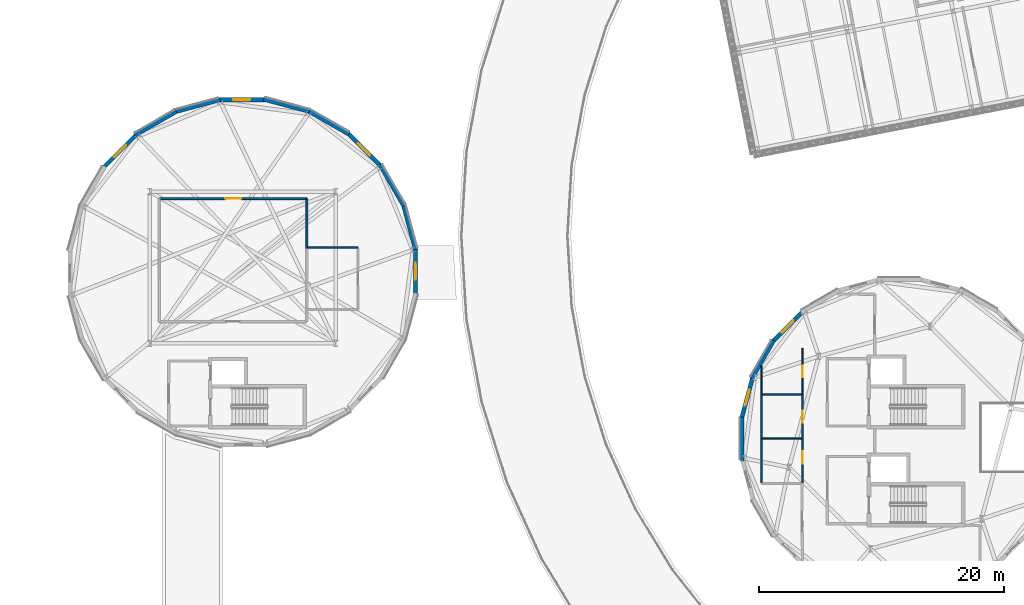
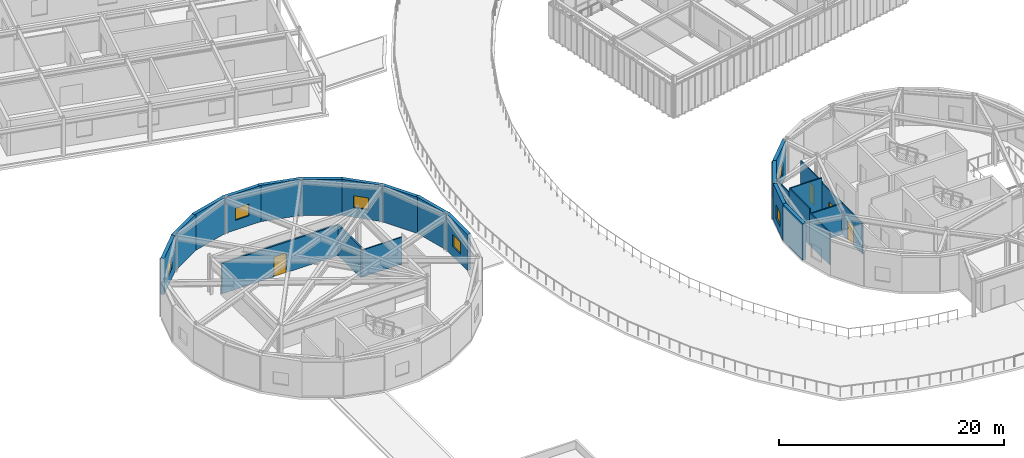
# One storey, part 32 of 59: 25 walls, 6 windows, 4 doors, 10 openings.
"""IFC4 building model written with IfcOpenShell, lengths in metres."""

import ifcopenshell
import ifcopenshell.guid

model = None  # the IFC model being written
_history = None  # IfcOwnerHistory: only IFC2X3 demands one
_inside = {}  # id of a spatial element -> (the spatial element, [elements in it])
_under = {}  # id of a project, library or spatial element -> (it, [spatial elements below it])
_declared = {}  # id of a project -> (the project, [libraries it declares])
_typed = {}  # id of a type object -> (the type object, [elements of that type])
_made_of = {}  # id of a material, layer set ... -> (it, [elements and type objects made of it])


def new_model(schema):
    """Start an empty IFC model of exactly this schema.

    Asked for "IFC4X3", IfcOpenShell would pick the latest addendum, in which some entities
    have other attributes; the version numbers below select the first issue.
    IFC2X3 requires an IfcOwnerHistory on every rooted entity: one is made here for all.
    """
    global model, _history
    if schema == "IFC4X3":
        model = ifcopenshell.file(schema_version=(4, 3, 0, 0))
    else:
        model = ifcopenshell.file(schema=schema)
    _inside.clear()
    _under.clear()
    _declared.clear()
    _typed.clear()
    _made_of.clear()
    _history = None
    if model.schema == "IFC2X3":
        org = make("IfcOrganization", Name="unknown")
        user = make(
            "IfcPersonAndOrganization",
            ThePerson=make("IfcPerson", FamilyName="unknown"),
            TheOrganization=org,
        )
        app = make(
            "IfcApplication",
            ApplicationDeveloper=org,
            Version="unknown",
            ApplicationFullName="unknown",
            ApplicationIdentifier="unknown",
        )
        _history = make(
            "IfcOwnerHistory",
            OwningUser=user,
            OwningApplication=app,
            ChangeAction="ADDED",
            CreationDate=0,
        )
    return model


def make(cls, **values):
    """One entity of the class cls with the attributes given. An attribute that is None is left unset."""
    return model.create_entity(
        cls, **{name: value for name, value in values.items() if value is not None}
    )


def rooted(cls, **values):
    """An entity with a GlobalId (a new one), such as an element, a storey or a relation."""
    return make(cls, GlobalId=ifcopenshell.guid.new(), OwnerHistory=_history, **values)


def si_unit(unit_type, name, prefix=None):
    """IfcSIUnit, for example si_unit("LENGTHUNIT", "METRE", prefix="MILLI")."""
    return make("IfcSIUnit", UnitType=unit_type, Prefix=prefix, Name=name)


def assignment(units):
    """IfcUnitAssignment: the units of a project."""
    return None if units is None else make("IfcUnitAssignment", Units=units)


def point(xyz):
    """IfcCartesianPoint."""
    return None if xyz is None else make("IfcCartesianPoint", Coordinates=xyz)


def direction(xyz):
    """IfcDirection."""
    return None if xyz is None else make("IfcDirection", DirectionRatios=xyz)


def frame(location, z_axis=None, x_axis=None):
    """IfcAxis2Placement3D, a coordinate frame: its origin and axes. An axis left out is left unset."""
    return make(
        "IfcAxis2Placement3D",
        Location=point(location),
        Axis=direction(z_axis),
        RefDirection=direction(x_axis),
    )


def frame_2d(location, x_axis=None):
    """IfcAxis2Placement2D, a coordinate frame in the plane: its origin and x axis."""
    return make(
        "IfcAxis2Placement2D", Location=point(location), RefDirection=direction(x_axis)
    )


def origin():
    """The frame at (0, 0, 0) with its axes left unset."""
    return frame((0.0, 0.0, 0.0))


def place(relative_to, where):
    """IfcLocalPlacement: puts the frame where relative to a parent placement (None: the world)."""
    return make(
        "IfcLocalPlacement", PlacementRelTo=relative_to, RelativePlacement=where
    )


def context(
    kind, dimensions, precision=None, world=None, true_north=None, identifier=None
):
    """IfcGeometricRepresentationContext, for example the 3D "Model" context."""
    return make(
        "IfcGeometricRepresentationContext",
        ContextIdentifier=identifier,
        ContextType=kind,
        CoordinateSpaceDimension=dimensions,
        Precision=precision,
        WorldCoordinateSystem=world,
        TrueNorth=true_north,
    )


def subcontext(parent, identifier, kind, view, scale=None):
    """IfcGeometricRepresentationSubContext, for example "Body" below "Model"."""
    return make(
        "IfcGeometricRepresentationSubContext",
        ContextIdentifier=identifier,
        ContextType=kind,
        ParentContext=parent,
        TargetScale=scale,
        TargetView=view,
    )


def project(units=None, contexts=None):
    """IfcProject with its units and contexts."""
    return rooted(
        "IfcProject",
        Name="project",
        RepresentationContexts=contexts,
        UnitsInContext=assignment(units),
    )


def spatial(cls, under=None, at=None, **own):
    """A site, building, storey or space (cls), placed at a placement, below another one or the project."""
    s = rooted(cls, ObjectPlacement=at, **own)
    if under is not None:
        _under.setdefault(under.id(), (under, []))[1].append(s)
    return s


def profile(cls, at=None, kind="AREA", **sizes):
    """A parametric profile (cls). Its sizes go by their IFC names, for example OverallWidth=200.0."""
    return make(cls, ProfileType=kind, Position=at, **sizes)


def rectangle(**sizes):
    """IfcRectangleProfileDef."""
    return profile("IfcRectangleProfileDef", **sizes)


def extrude(swept, where, along, depth):
    """IfcExtrudedAreaSolid: the profile swept, set in the frame where, extruded along a direction by depth."""
    return make(
        "IfcExtrudedAreaSolid",
        SweptArea=swept,
        Position=where,
        ExtrudedDirection=direction(along),
        Depth=depth,
    )


def shape(context_of_items, identifier, shape_type, items):
    """IfcShapeRepresentation: the items that make up one representation, for example the "Body"."""
    return make(
        "IfcShapeRepresentation",
        ContextOfItems=context_of_items,
        RepresentationIdentifier=identifier,
        RepresentationType=shape_type,
        Items=items,
    )


def material(Name=None, Category=None):
    """IfcMaterial."""
    return make("IfcMaterial", Name=Name, Category=Category)


def layer(
    of_material, thickness, ventilated=None, Name=None, Category=None, Priority=None
):
    """IfcMaterialLayer: one layer of a wall or slab, of a material (None: an air gap)."""
    return make(
        "IfcMaterialLayer",
        Material=of_material,
        LayerThickness=thickness,
        IsVentilated=ventilated,
        Name=Name,
        Category=Category,
        Priority=Priority,
    )


def layer_set(layers, Name=None):
    """IfcMaterialLayerSet."""
    return make("IfcMaterialLayerSet", MaterialLayers=layers, LayerSetName=Name)


def made_of(thing, what):
    """Note that an element or type object is made of a material, layer set ...; save() writes the relation."""
    if what is not None:
        _made_of.setdefault(what.id(), (what, []))[1].append(thing)
    return thing


def type_object(cls, material=None, **own):
    """A type object (cls), such as IfcWallType, which elements share."""
    return made_of(rooted(cls, **own), material)


def element(
    cls,
    number,
    at=None,
    inside=None,
    cuts=None,
    type_object=None,
    material=None,
    context=None,
    identifier="Body",
    shape_type=None,
    held_by="IfcProductDefinitionShape",
    body=None,
    shapes=None,
    **own,
):
    """One element of the class cls, such as IfcWall. Its Tag is "e" and its number.

    at: its placement. inside: the storey or other place that contains it. cuts: it is an
    opening in that element (IfcRelVoidsElement). A single representation is given by context,
    identifier, shape_type and body (its items); several are given by shapes. held_by: the class
    of the entity that holds the representations. save() writes the other relations.
    """
    e = rooted(cls, Tag="e%d" % number, ObjectPlacement=at, **own)
    if body is not None:
        shapes = [shape(context, identifier, shape_type, body)]
    if shapes is not None:
        e.Representation = make(held_by, Representations=shapes)
    if inside is not None:
        _inside.setdefault(inside.id(), (inside, []))[1].append(e)
    if cuts is not None:
        rooted(
            "IfcRelVoidsElement", RelatingBuildingElement=cuts, RelatedOpeningElement=e
        )
    if type_object is not None:
        _typed.setdefault(type_object.id(), (type_object, []))[1].append(e)
    return made_of(e, material)


def fill(opening, filler):
    """IfcRelFillsElement: the door or window that sits in an opening."""
    return rooted(
        "IfcRelFillsElement",
        RelatingOpeningElement=opening,
        RelatedBuildingElement=filler,
    )


def aggregate(whole, parts):
    """IfcRelAggregates: a whole, such as a stair, and the parts it consists of."""
    return rooted("IfcRelAggregates", RelatingObject=whole, RelatedObjects=parts)


def save(model, path):
    """Write the relations noted so far, then the file.

    IfcRelAggregates (storeys below a building ...), IfcRelContainedInSpatialStructure (elements
    in a storey), IfcRelDefinesByType, IfcRelAssociatesMaterial and IfcRelDeclares: one each for
    every whole, place, type object, material and project.
    """
    for whole, parts in _under.values():
        aggregate(whole, parts)
    for where, things in _inside.values():
        rooted(
            "IfcRelContainedInSpatialStructure",
            RelatedElements=things,
            RelatingStructure=where,
        )
    for kind, things in _typed.values():
        rooted("IfcRelDefinesByType", RelatedObjects=things, RelatingType=kind)
    for what, things in _made_of.values():
        rooted("IfcRelAssociatesMaterial", RelatedObjects=things, RelatingMaterial=what)
    for by, libraries in _declared.values():
        rooted("IfcRelDeclares", RelatingContext=by, RelatedDefinitions=libraries)
    model.write(path)


model = new_model("IFC4")

# Units and contexts
model_context = context("Model", 3, precision=1e-05, world=origin(), true_north=direction((0.0, 1.0)))
body_context = subcontext(model_context, "Body", "Model", "MODEL_VIEW")
ifc_project = project(units=[si_unit("LENGTHUNIT", "METRE"), si_unit("AREAUNIT", "SQUARE_METRE"), si_unit("VOLUMEUNIT", "CUBIC_METRE"), si_unit("PLANEANGLEUNIT", "RADIAN"), si_unit("MASSUNIT", "GRAM", prefix="KILO")], contexts=[model_context])

# Site, building, storey
site_placement = place(None, origin())
site = spatial("IfcSite", under=ifc_project, at=site_placement, CompositionType="ELEMENT")
building_placement = place(site_placement, origin())
building = spatial("IfcBuilding", under=site, at=building_placement, Name="Varnklinge Art Gallery", CompositionType="ELEMENT")
storey_placement = place(building_placement, frame((0.0, 0.0, 9.52001953125)))
storey = spatial("IfcBuildingStorey", under=building, at=storey_placement, Name="L02", CompositionType="ELEMENT", Elevation=9.52001953125)

# Wall, opening, window
ifc_material_1 = material(Name="Precast concrete C40/50", Category="concrete")
ifc_layer_1 = layer(ifc_material_1, 0.340087890625)
ifc_layer_set_1 = layer_set([ifc_layer_1], Name="Precast concrete C40/50")
wall_type_1 = type_object("IfcWallType", Name="EW-34", PredefinedType="SOLIDWALL", material=ifc_layer_set_1)
wall_1_placement = place(storey_placement, frame((35.90673828125, 54.027099609375, 0.0), z_axis=(0.0, 0.0, 1.0), x_axis=(0.0, -1.0, 0.0)))
wall_1 = element("IfcWall", 1, at=wall_1_placement, inside=storey, type_object=wall_type_1, Name="L02 Exterior Wall EW-V3-L02-01", PredefinedType="SOLIDWALL", context=body_context, shape_type="SweptSolid", body=[
    extrude(rectangle(XDim=3.88427734375, YDim=0.340087890625, at=frame_2d((1.942138671875, 0.0))), origin(), (0.0, 0.0, 1.0), 3.93994140625),
])
opening_1_placement = place(wall_1_placement, frame((1.2421875, 0.0, 1.050048828125)))
opening_1 = element("IfcOpeningElement", 2, at=opening_1_placement, cuts=wall_1, Name="Opening WN-16", PredefinedType="OPENING", context=body_context, shape_type="SweptSolid", body=[
    extrude(rectangle(XDim=1.39990234375, YDim=1.300048828125, at=frame_2d((0.699951171875, 0.64990234375))), frame((0.0, 0.179931640625, 0.0), z_axis=(0.0, -1.0, 0.0), x_axis=(1.0, 0.0, 0.0)), (0.0, 0.0, 1.0), 0.360107421875),
])
ifc_material_2 = material(Name="Insulated Low-E Triple Glazing", Category="glass")
window_type_1 = type_object("IfcWindowType", Name="WN-16", PartitioningType="SINGLE_PANEL", PredefinedType="WINDOW", material=ifc_material_2)
window_1_placement = place(opening_1_placement, origin())
window_1 = element("IfcWindow", 3, at=window_1_placement, inside=storey, type_object=window_type_1, Name="L02 Window WIN-L02-050", OverallHeight=1.300048828125, OverallWidth=1.39990234375, PartitioningType="SINGLE_PANEL", PredefinedType="WINDOW", context=body_context, shape_type="SweptSolid", body=[
    extrude(rectangle(XDim=1.39990234375, YDim=1.300048828125, at=frame_2d((0.699951171875, 0.64990234375))), frame((0.0, 0.030029296875, 0.0), z_axis=(0.0, -1.0, 0.0), x_axis=(1.0, 0.0, 0.0)), (0.0, 0.0, 1.0), 0.06005859375),
])
fill(opening_1, window_1)

wall_2_placement = place(storey_placement, frame((10.3916015625, 60.54150390625, 0.0), z_axis=(0.0, 0.0, 1.0), x_axis=(0.707075354917, 0.70713820606, 0.0)))
wall_2 = element("IfcWall", 4, at=wall_2_placement, inside=storey, type_object=wall_type_1, Name="L02 Exterior Wall EW-V3-L02-16", PredefinedType="SOLIDWALL", context=body_context, shape_type="SweptSolid", body=[
    extrude(rectangle(XDim=3.884521484375, YDim=0.340087890625, at=frame_2d((1.9423828125, 0.0))), origin(), (0.0, 0.0, 1.0), 3.93994140625),
])
opening_2_placement = place(wall_2_placement, frame((1.2421875, 0.0, 1.050048828125)))
opening_2 = element("IfcOpeningElement", 5, at=opening_2_placement, cuts=wall_2, Name="Opening WN-16", PredefinedType="OPENING", context=body_context, shape_type="SweptSolid", body=[
    extrude(rectangle(XDim=1.39990234375, YDim=1.300048828125, at=frame_2d((0.699951171875, 0.64990234375))), frame((0.0, 0.179931640625, 0.0), z_axis=(0.0, -1.0, 0.0), x_axis=(1.0, 0.0, 0.0)), (0.0, 0.0, 1.0), 0.360107421875),
])
window_2_placement = place(opening_2_placement, origin())
window_2 = element("IfcWindow", 6, at=window_2_placement, inside=storey, type_object=window_type_1, Name="L02 Window WIN-L02-055", OverallHeight=1.300048828125, OverallWidth=1.39990234375, PartitioningType="SINGLE_PANEL", PredefinedType="WINDOW", context=body_context, shape_type="SweptSolid", body=[
    extrude(rectangle(XDim=1.39990234375, YDim=1.300048828125, at=frame_2d((0.699951171875, 0.64990234375))), frame((0.0, 0.030029296875, 0.0), z_axis=(0.0, -1.0, 0.0), x_axis=(1.0, 0.0, 0.0)), (0.0, 0.0, 1.0), 0.06005859375),
])
fill(opening_2, window_2)

# Walls
for number, where, z_axis, x_axis, name in (
    (7, (12.990966796875, 63.203369140625, 0.0), (0.0, 0.0, 1.0), (0.866033823055, 0.499985417113, 0.0), "L02 Exterior Wall EW-V3-L02-17"),
    (8, (16.19091796875, 65.1015625, 0.0), (0.0, 0.0, 1.0), (0.965939074462, 0.258769597186, 0.0), "L02 Exterior Wall EW-V3-L02-18"),
):
    element("IfcWall", number, at=place(storey_placement, frame(where, z_axis=z_axis, x_axis=x_axis)), inside=storey, type_object=wall_type_1, Name=name, PredefinedType="SOLIDWALL", context=body_context, shape_type="SweptSolid", body=[
        extrude(rectangle(XDim=3.88427734375, YDim=0.340087890625, at=frame_2d((1.942138671875, 0.0))), origin(), (0.0, 0.0, 1.0), 3.93994140625),
    ])

# Wall, opening, window
wall_3_placement = place(storey_placement, frame((19.772705078125, 66.106689453125, 0.0), z_axis=(0.0, 0.0, 1.0), x_axis=(1.0, 0.0, 0.0)))
wall_3 = element("IfcWall", 9, at=wall_3_placement, inside=storey, type_object=wall_type_1, Name="L02 Exterior Wall EW-V3-L02-19", PredefinedType="SOLIDWALL", context=body_context, shape_type="SweptSolid", body=[
    extrude(rectangle(XDim=3.884521484375, YDim=0.340087890625, at=frame_2d((1.9423828125, 0.0))), origin(), (0.0, 0.0, 1.0), 3.93994140625),
])
opening_3_placement = place(wall_3_placement, frame((1.2421875, 0.0, 1.050048828125)))
opening_3 = element("IfcOpeningElement", 10, at=opening_3_placement, cuts=wall_3, Name="Opening WN-16", PredefinedType="OPENING", context=body_context, shape_type="SweptSolid", body=[
    extrude(rectangle(XDim=1.39990234375, YDim=1.300048828125, at=frame_2d((0.699951171875, 0.64990234375))), frame((0.0, 0.179931640625, 0.0), z_axis=(0.0, -1.0, 0.0), x_axis=(1.0, 0.0, 0.0)), (0.0, 0.0, 1.0), 0.360107421875),
])
window_3_placement = place(opening_3_placement, origin())
window_3 = element("IfcWindow", 11, at=window_3_placement, inside=storey, type_object=window_type_1, Name="L02 Window WIN-L02-056", OverallHeight=1.300048828125, OverallWidth=1.39990234375, PartitioningType="SINGLE_PANEL", PredefinedType="WINDOW", context=body_context, shape_type="SweptSolid", body=[
    extrude(rectangle(XDim=1.39990234375, YDim=1.300048828125, at=frame_2d((0.699951171875, 0.64990234375))), frame((0.0, 0.030029296875, 0.0), z_axis=(0.0, -1.0, 0.0), x_axis=(1.0, 0.0, 0.0)), (0.0, 0.0, 1.0), 0.06005859375),
])
fill(opening_3, window_3)

# Walls
wall_4_placement = place(storey_placement, frame((23.492919921875, 66.15087890625, 0.0), z_axis=(0.0, 0.0, 1.0), x_axis=(0.965927572505, -0.258812528048, 0.0)))
element("IfcWall", 12, at=wall_4_placement, inside=storey, type_object=wall_type_1, Name="L02 Exterior Wall EW-V3-L02-20", PredefinedType="SOLIDWALL", context=body_context, shape_type="SweptSolid", body=[
    extrude(rectangle(XDim=3.884521484375, YDim=0.340087890625, at=frame_2d((1.9423828125, 0.0))), origin(), (0.0, 0.0, 1.0), 3.93994140625),
])
wall_5_placement = place(storey_placement, frame((27.097900390625, 65.23046875, 0.0), z_axis=(0.0, 0.0, 1.0), x_axis=(0.866033823055, -0.499985417113, 0.0)))
element("IfcWall", 13, at=wall_5_placement, inside=storey, type_object=wall_type_1, Name="L02 Exterior Wall EW-V3-L02-21", PredefinedType="SOLIDWALL", context=body_context, shape_type="SweptSolid", body=[
    extrude(rectangle(XDim=3.88427734375, YDim=0.340087890625, at=frame_2d((1.942138671875, 0.0))), origin(), (0.0, 0.0, 1.0), 3.93994140625),
])

# Wall, opening, window
wall_6_placement = place(storey_placement, frame((30.341552734375, 63.408447265625, 0.0), z_axis=(0.0, 0.0, 1.0), x_axis=(0.70713820606, -0.707075354917, 0.0)))
wall_6 = element("IfcWall", 14, at=wall_6_placement, inside=storey, type_object=wall_type_1, Name="L02 Exterior Wall EW-V3-L02-22", PredefinedType="SOLIDWALL", context=body_context, shape_type="SweptSolid", body=[
    extrude(rectangle(XDim=3.884521484375, YDim=0.340087890625, at=frame_2d((1.9423828125, 0.0))), origin(), (0.0, 0.0, 1.0), 3.93994140625),
])
opening_4_placement = place(wall_6_placement, frame((1.2421875, 0.0, 1.050048828125)))
opening_4 = element("IfcOpeningElement", 15, at=opening_4_placement, cuts=wall_6, Name="Opening WN-16", PredefinedType="OPENING", context=body_context, shape_type="SweptSolid", body=[
    extrude(rectangle(XDim=1.39990234375, YDim=1.300048828125, at=frame_2d((0.699951171875, 0.64990234375))), frame((0.0, 0.179931640625, 0.0), z_axis=(0.0, -1.0, 0.0), x_axis=(1.0, 0.0, 0.0)), (0.0, 0.0, 1.0), 0.360107421875),
])
window_4_placement = place(opening_4_placement, origin())
window_4 = element("IfcWindow", 16, at=window_4_placement, inside=storey, type_object=window_type_1, Name="L02 Window WIN-L02-057", OverallHeight=1.300048828125, OverallWidth=1.39990234375, PartitioningType="SINGLE_PANEL", PredefinedType="WINDOW", context=body_context, shape_type="SweptSolid", body=[
    extrude(rectangle(XDim=1.39990234375, YDim=1.300048828125, at=frame_2d((0.699951171875, 0.64990234375))), frame((0.0, 0.030029296875, 0.0), z_axis=(0.0, -1.0, 0.0), x_axis=(1.0, 0.0, 0.0)), (0.0, 0.0, 1.0), 0.06005859375),
])
fill(opening_4, window_4)

# Walls
for number, where, z_axis, x_axis, name in (
    (17, (33.00341796875, 60.80908203125, 0.0), (0.0, 0.0, 1.0), (0.499985417113, -0.866033823055, 0.0), "L02 Exterior Wall EW-V3-L02-23"),
    (18, (34.901611328125, 57.609130859375, 0.0), (0.0, 0.0, 1.0), (0.258769597186, -0.965939074462, 0.0), "L02 Exterior Wall EW-V3-L02-24"),
):
    element("IfcWall", number, at=place(storey_placement, frame(where, z_axis=z_axis, x_axis=x_axis)), inside=storey, type_object=wall_type_1, Name=name, PredefinedType="SOLIDWALL", context=body_context, shape_type="SweptSolid", body=[
        extrude(rectangle(XDim=3.88427734375, YDim=0.340087890625, at=frame_2d((1.942138671875, 0.0))), origin(), (0.0, 0.0, 1.0), 3.93994140625),
    ])
wall_7_placement = place(storey_placement, frame((62.5830078125, 36.62939453125, 0.0), z_axis=(0.0, 0.0, 1.0), x_axis=(0.0, 1.0, 0.0)))
element("IfcWall", 19, at=wall_7_placement, inside=storey, type_object=wall_type_1, Name="L02 Exterior Wall EW-V4D-L02-12", PredefinedType="SOLIDWALL", context=body_context, shape_type="SweptSolid", body=[
    extrude(rectangle(XDim=3.571044921875, YDim=0.340087890625, at=frame_2d((1.78564453125, 0.0))), origin(), (0.0, 0.0, 1.0), 3.9599609375),
])

# Wall, opening, window
wall_8_placement = place(storey_placement, frame((62.538818359375, 40.036376953125, 0.0), z_axis=(0.0, 0.0, 1.0), x_axis=(0.258828348784, 0.965923333327, 0.0)))
wall_8 = element("IfcWall", 20, at=wall_8_placement, inside=storey, type_object=wall_type_1, Name="L02 Exterior Wall EW-V4D-L02-13", PredefinedType="SOLIDWALL", context=body_context, shape_type="SweptSolid", body=[
    extrude(rectangle(XDim=3.571044921875, YDim=0.340087890625, at=frame_2d((1.78564453125, 0.0))), origin(), (0.0, 0.0, 1.0), 3.9599609375),
])
opening_5_placement = place(wall_8_placement, frame((1.110595703125, 0.0, 0.85009765625)))
opening_5 = element("IfcOpeningElement", 21, at=opening_5_placement, cuts=wall_8, Name="Opening WN-02", PredefinedType="OPENING", context=body_context, shape_type="SweptSolid", body=[
    extrude(rectangle(XDim=1.35009765625, YDim=1.5, at=frame_2d((0.675048828125, 0.75))), frame((0.0, 0.179931640625, 0.0), z_axis=(0.0, -1.0, 0.0), x_axis=(1.0, 0.0, 0.0)), (0.0, 0.0, 1.0), 0.360107421875),
])
ifc_material_3 = material(Name="Insulated Low-E Triple Glazing", Category="glass")
window_type_2 = type_object("IfcWindowType", Name="WN-02", PartitioningType="SINGLE_PANEL", PredefinedType="WINDOW", material=ifc_material_3)
window_5_placement = place(opening_5_placement, origin())
window_5 = element("IfcWindow", 22, at=window_5_placement, inside=storey, type_object=window_type_2, Name="L02 Window WIN-L02-090", OverallHeight=1.5, OverallWidth=1.35009765625, PartitioningType="SINGLE_PANEL", PredefinedType="WINDOW", context=body_context, shape_type="SweptSolid", body=[
    extrude(rectangle(XDim=1.35009765625, YDim=1.5, at=frame_2d((0.675048828125, 0.75))), frame((0.0, 0.030029296875, 0.0), z_axis=(0.0, -1.0, 0.0), x_axis=(1.0, 0.0, 0.0)), (0.0, 0.0, 1.0), 0.06005859375),
])
fill(opening_5, window_5)

# Wall
wall_9_placement = place(storey_placement, frame((63.378173828125, 43.338623046875, 0.0), z_axis=(0.0, 0.0, 1.0), x_axis=(0.500006500783, 0.866021650523, 0.0)))
element("IfcWall", 23, at=wall_9_placement, inside=storey, type_object=wall_type_1, Name="L02 Exterior Wall EW-V4D-L02-14", PredefinedType="SOLIDWALL", context=body_context, shape_type="SweptSolid", body=[
    extrude(rectangle(XDim=3.5712890625, YDim=0.340087890625, at=frame_2d((1.78564453125, 0.0))), origin(), (0.0, 0.0, 1.0), 3.9599609375),
])

# Wall, opening, window
wall_10_placement = place(storey_placement, frame((65.04345703125, 46.31103515625, 0.0), z_axis=(0.0, 0.0, 1.0), x_axis=(0.707106781187, 0.707106781187, 0.0)))
wall_10 = element("IfcWall", 24, at=wall_10_placement, inside=storey, type_object=wall_type_1, Name="L02 Exterior Wall EW-V4D-L02-15", PredefinedType="SOLIDWALL", context=body_context, shape_type="SweptSolid", body=[
    extrude(rectangle(XDim=3.571044921875, YDim=0.340087890625, at=frame_2d((1.78564453125, 0.0))), origin(), (0.0, 0.0, 1.0), 3.9599609375),
])
opening_6_placement = place(wall_10_placement, frame((1.110595703125, 0.0, 0.85009765625)))
opening_6 = element("IfcOpeningElement", 25, at=opening_6_placement, cuts=wall_10, Name="Opening WN-02", PredefinedType="OPENING", context=body_context, shape_type="SweptSolid", body=[
    extrude(rectangle(XDim=1.35009765625, YDim=1.5, at=frame_2d((0.675048828125, 0.75))), frame((0.0, 0.179931640625, 0.0), z_axis=(0.0, -1.0, 0.0), x_axis=(1.0, 0.0, 0.0)), (0.0, 0.0, 1.0), 0.360107421875),
])
window_6_placement = place(opening_6_placement, origin())
window_6 = element("IfcWindow", 26, at=window_6_placement, inside=storey, type_object=window_type_2, Name="L02 Window WIN-L02-091", OverallHeight=1.5, OverallWidth=1.35009765625, PartitioningType="SINGLE_PANEL", PredefinedType="WINDOW", context=body_context, shape_type="SweptSolid", body=[
    extrude(rectangle(XDim=1.35009765625, YDim=1.5, at=frame_2d((0.675048828125, 0.75))), frame((0.0, 0.030029296875, 0.0), z_axis=(0.0, -1.0, 0.0), x_axis=(1.0, 0.0, 0.0)), (0.0, 0.0, 1.0), 0.06005859375),
])
fill(opening_6, window_6)

# Wall, opening, door
ifc_material_4 = material(Name="Gypsum Board Partition", Category="gypsum")
ifc_layer_2 = layer(ifc_material_4, 0.10009765625)
ifc_layer_set_2 = layer_set([ifc_layer_2], Name="Gypsum Board Partition")
wall_type_2 = type_object("IfcWallType", Name="IW-10", PredefinedType="PARTITIONING", material=ifc_layer_set_2)
wall_11_placement = place(storey_placement, frame((67.530029296875, 45.800048828125, 0.0), z_axis=(0.0, 0.0, 1.0), x_axis=(0.0, -1.0, 0.0)))
wall_11 = element("IfcWall", 27, at=wall_11_placement, inside=storey, type_object=wall_type_2, Name="L02 Partition Wall IW-L02-0289", PredefinedType="PARTITIONING", context=body_context, shape_type="SweptSolid", body=[
    extrude(rectangle(XDim=3.800048828125, YDim=0.10009765625, at=frame_2d((1.89990234375, 0.0))), origin(), (0.0, 0.0, 1.0), 3.5),
])
opening_7_placement = place(wall_11_placement, frame((1.43994140625, 0.0, 0.0)))
opening_7 = element("IfcOpeningElement", 28, at=opening_7_placement, cuts=wall_11, Name="Opening D-L02-232", PredefinedType="OPENING", context=body_context, shape_type="SweptSolid", body=[
    extrude(rectangle(XDim=0.919921875, YDim=2.080078125, at=frame_2d((0.4599609375, 1.0400390625))), frame((0.0, 0.06005859375, 0.0), z_axis=(0.0, -1.0, 0.0), x_axis=(1.0, 0.0, 0.0)), (0.0, 0.0, 1.0), 0.1201171875),
])
ifc_material_5 = material(Name="Oak Timber Leaf", Category="wood")
door_type_1 = type_object("IfcDoorType", Name="ID-01", OperationType="SINGLE_SWING_LEFT", PredefinedType="DOOR", material=ifc_material_5)
door_1_placement = place(opening_7_placement, origin())
door_1 = element("IfcDoor", 29, at=door_1_placement, inside=storey, type_object=door_type_1, Name="L02 L02 Curatorial Conservation Closet Door D-L02-232", OperationType="SINGLE_SWING_RIGHT", OverallHeight=2.080078125, OverallWidth=0.919921875, PredefinedType="DOOR", context=body_context, shape_type="SweptSolid", body=[
    extrude(rectangle(XDim=0.919921875, YDim=2.080078125, at=frame_2d((0.4599609375, 1.0400390625))), frame((0.0, 0.02490234375, 0.0), z_axis=(0.0, -1.0, 0.0), x_axis=(1.0, 0.0, 0.0)), (0.0, 0.0, 1.0), 0.050048828125),
])
fill(opening_7, door_1)

# Walls
wall_12_placement = place(storey_placement, frame((64.169921875, 42.0, 0.0), z_axis=(0.0, 0.0, 1.0), x_axis=(0.0, 1.0, 0.0)))
element("IfcWall", 30, at=wall_12_placement, inside=storey, type_object=wall_type_2, Name="L02 Partition Wall IW-L02-0319", PredefinedType="PARTITIONING", context=body_context, shape_type="SweptSolid", body=[
    extrude(rectangle(XDim=2.362060546875, YDim=0.10009765625, at=frame_2d((1.18115234375, 0.0))), origin(), (0.0, 0.0, 1.0), 3.5),
])
ifc_material_6 = material(Name="Gypsum Board Partition", Category="gypsum")
ifc_layer_3 = layer(ifc_material_6, 0.1201171875)
ifc_layer_set_3 = layer_set([ifc_layer_3], Name="Gypsum Board Partition")
wall_type_3 = type_object("IfcWallType", Name="IW-12", PredefinedType="PARTITIONING", material=ifc_layer_set_3)
wall_13_placement = place(storey_placement, frame((27.125, 54.030029296875, 0.0), z_axis=(0.0, 0.0, 1.0), x_axis=(1.0, 0.0, 0.0)))
element("IfcWall", 31, at=wall_13_placement, inside=storey, type_object=wall_type_3, Name="L02 Partition Wall IW-L02-0286", PredefinedType="PARTITIONING", context=body_context, shape_type="SweptSolid", body=[
    extrude(rectangle(XDim=4.074951171875, YDim=0.1201171875, at=frame_2d((2.03759765625, 0.0))), origin(), (0.0, 0.0, 1.0), 2.919921875),
])

# Wall, opening, door
wall_14_placement = place(storey_placement, frame((67.530029296875, 38.39990234375, 0.0), z_axis=(0.0, 0.0, 1.0), x_axis=(0.0, -1.0, 0.0)))
wall_14 = element("IfcWall", 32, at=wall_14_placement, inside=storey, type_object=wall_type_3, Name="L02 Partition Wall IW-L02-0287", PredefinedType="PARTITIONING", context=body_context, shape_type="SweptSolid", body=[
    extrude(rectangle(XDim=3.599853515625, YDim=0.1201171875, at=frame_2d((1.7998046875, 0.0))), origin(), (0.0, 0.0, 1.0), 3.35009765625),
])
opening_8_placement = place(wall_14_placement, frame((1.001953125, 0.0, 0.0)))
opening_8 = element("IfcOpeningElement", 33, at=opening_8_placement, cuts=wall_14, Name="Opening D-L02-230", PredefinedType="OPENING", context=body_context, shape_type="SweptSolid", body=[
    extrude(rectangle(XDim=1.02001953125, YDim=2.1201171875, at=frame_2d((0.510009765625, 1.06005859375))), frame((0.0, 0.070068359375, 0.0), z_axis=(0.0, -1.0, 0.0), x_axis=(1.0, 0.0, 0.0)), (0.0, 0.0, 1.0), 0.14013671875),
])
ifc_material_7 = material(Name="Oak Timber Leaf", Category="wood")
door_type_2 = type_object("IfcDoorType", Name="ID-03", OperationType="SINGLE_SWING_LEFT", PredefinedType="DOOR", material=ifc_material_7)
door_2_placement = place(opening_8_placement, origin())
door_2 = element("IfcDoor", 34, at=door_2_placement, inside=storey, type_object=door_type_2, Name="L02 L02 Accessible WC Central Door D-L02-230", OperationType="SINGLE_SWING_RIGHT", OverallHeight=2.1201171875, OverallWidth=1.02001953125, PredefinedType="DOOR", context=body_context, shape_type="SweptSolid", body=[
    extrude(rectangle(XDim=1.02001953125, YDim=2.1201171875, at=frame_2d((0.510009765625, 1.06005859375))), frame((0.0, 0.02490234375, 0.0), z_axis=(0.0, -1.0, 0.0), x_axis=(1.0, 0.0, 0.0)), (0.0, 0.0, 1.0), 0.050048828125),
])
fill(opening_8, door_2)

wall_15_placement = place(storey_placement, frame((67.530029296875, 42.0, 0.0), z_axis=(0.0, 0.0, 1.0), x_axis=(0.0, -1.0, 0.0)))
wall_15 = element("IfcWall", 35, at=wall_15_placement, inside=storey, type_object=wall_type_3, Name="L02 Partition Wall IW-L02-0288", PredefinedType="PARTITIONING", context=body_context, shape_type="SweptSolid", body=[
    extrude(rectangle(XDim=3.60009765625, YDim=0.1201171875, at=frame_2d((1.800048828125, 0.0))), origin(), (0.0, 0.0, 1.0), 3.35009765625),
])
opening_9_placement = place(wall_15_placement, frame((1.320068359375, 0.0, 0.0)))
opening_9 = element("IfcOpeningElement", 36, at=opening_9_placement, cuts=wall_15, Name="Opening D-L02-231", PredefinedType="OPENING", context=body_context, shape_type="SweptSolid", body=[
    extrude(rectangle(XDim=0.9599609375, YDim=2.10009765625, at=frame_2d((0.47998046875, 1.050048828125))), frame((0.0, 0.070068359375, 0.0), z_axis=(0.0, -1.0, 0.0), x_axis=(1.0, 0.0, 0.0)), (0.0, 0.0, 1.0), 0.14013671875),
])
ifc_material_8 = material(Name="Oak Timber Leaf", Category="wood")
door_type_3 = type_object("IfcDoorType", Name="ID-02", OperationType="SINGLE_SWING_RIGHT", PredefinedType="DOOR", material=ifc_material_8)
door_3_placement = place(opening_9_placement, origin())
door_3 = element("IfcDoor", 37, at=door_3_placement, inside=storey, type_object=door_type_3, Name="L02 L02 Public Restroom Central Door D-L02-231", OperationType="SINGLE_SWING_LEFT", OverallHeight=2.10009765625, OverallWidth=0.9599609375, PredefinedType="DOOR", context=body_context, shape_type="SweptSolid", body=[
    extrude(rectangle(XDim=0.9599609375, YDim=2.10009765625, at=frame_2d((0.47998046875, 1.050048828125))), frame((0.0, 0.02490234375, 0.0), z_axis=(0.0, -1.0, 0.0), x_axis=(1.0, 0.0, 0.0)), (0.0, 0.0, 1.0), 0.050048828125),
])
fill(opening_9, door_3)

# Walls
wall_16_placement = place(storey_placement, frame((64.199951171875, 38.429931640625, 0.0), z_axis=(0.0, 0.0, 1.0), x_axis=(1.0, 0.0, 0.0)))
element("IfcWall", 38, at=wall_16_placement, inside=storey, type_object=wall_type_3, Name="L02 Partition Wall IW-L02-0314", PredefinedType="PARTITIONING", context=body_context, shape_type="SweptSolid", body=[
    extrude(rectangle(XDim=3.255126953125, YDim=0.1201171875, at=frame_2d((1.62744140625, 0.0))), origin(), (0.0, 0.0, 1.0), 3.35009765625),
])
wall_17_placement = place(storey_placement, frame((64.169921875, 34.800048828125, 0.0), z_axis=(0.0, 0.0, 1.0), x_axis=(0.0, 1.0, 0.0)))
element("IfcWall", 39, at=wall_17_placement, inside=storey, type_object=wall_type_3, Name="L02 Partition Wall IW-L02-0315", PredefinedType="PARTITIONING", context=body_context, shape_type="SweptSolid", body=[
    extrude(rectangle(XDim=3.599853515625, YDim=0.1201171875, at=frame_2d((1.7998046875, 0.0))), origin(), (0.0, 0.0, 1.0), 3.5),
])
wall_18_placement = place(storey_placement, frame((64.199951171875, 42.030029296875, 0.0), z_axis=(0.0, 0.0, 1.0), x_axis=(1.0, 0.0, 0.0)))
element("IfcWall", 40, at=wall_18_placement, inside=storey, type_object=wall_type_3, Name="L02 Partition Wall IW-L02-0317", PredefinedType="PARTITIONING", context=body_context, shape_type="SweptSolid", body=[
    extrude(rectangle(XDim=3.26513671875, YDim=0.1201171875, at=frame_2d((1.632568359375, 0.0))), origin(), (0.0, 0.0, 1.0), 3.949951171875),
])
wall_19_placement = place(storey_placement, frame((64.169921875, 38.39990234375, 0.0), z_axis=(0.0, 0.0, 1.0), x_axis=(0.0, 1.0, 0.0)))
element("IfcWall", 41, at=wall_19_placement, inside=storey, type_object=wall_type_3, Name="L02 Partition Wall IW-L02-0318", PredefinedType="PARTITIONING", context=body_context, shape_type="SweptSolid", body=[
    extrude(rectangle(XDim=3.60009765625, YDim=0.1201171875, at=frame_2d((1.800048828125, 0.0))), origin(), (0.0, 0.0, 1.0), 3.949951171875),
])

# Wall, opening, door
ifc_material_9 = material(Name="Gypsum Board Partition", Category="gypsum")
ifc_layer_4 = layer(ifc_material_9, 0.159912109375)
ifc_layer_set_4 = layer_set([ifc_layer_4], Name="Gypsum Board Partition")
wall_type_4 = type_object("IfcWallType", Name="IW-16", PredefinedType="PARTITIONING", material=ifc_layer_set_4)
wall_20_placement = place(storey_placement, frame((15.0, 58.030029296875, 0.0), z_axis=(0.0, 0.0, 1.0), x_axis=(0.999999994834, -0.000101650809, 0.0)))
wall_20 = element("IfcWall", 42, at=wall_20_placement, inside=storey, type_object=wall_type_4, Name="L02 Partition Wall IW-L02-0279", PredefinedType="PARTITIONING", context=body_context, shape_type="SweptSolid", body=[
    extrude(rectangle(XDim=12.0087890625, YDim=0.159912109375, at=frame_2d((6.00439453125, 0.0))), origin(), (0.0, 0.0, 1.0), 3.330078125),
])
opening_10_placement = place(wall_20_placement, frame((5.3544921875, 0.0, 0.0)))
opening_10 = element("IfcOpeningElement", 43, at=opening_10_placement, cuts=wall_20, Name="Opening D-L02-227", PredefinedType="OPENING", context=body_context, shape_type="SweptSolid", body=[
    extrude(rectangle(XDim=1.300048828125, YDim=2.14990234375, at=frame_2d((0.64990234375, 1.074951171875))), frame((0.0, 0.090087890625, 0.0), z_axis=(0.0, -1.0, 0.0), x_axis=(1.0, 0.0, 0.0)), (0.0, 0.0, 1.0), 0.179931640625),
])
ifc_material_10 = material(Name="Oak Timber Leaf", Category="wood")
door_type_4 = type_object("IfcDoorType", Name="ID-11", OperationType="SINGLE_SWING_LEFT", PredefinedType="DOOR", material=ifc_material_10)
door_4_placement = place(opening_10_placement, origin())
door_4 = element("IfcDoor", 44, at=door_4_placement, inside=storey, type_object=door_type_4, Name="L02 L02 Acoustic Projection and Sound Suite Door D-L02-227", OperationType="SINGLE_SWING_LEFT", OverallHeight=2.14990234375, OverallWidth=1.300048828125, PredefinedType="DOOR", context=body_context, shape_type="SweptSolid", body=[
    extrude(rectangle(XDim=1.300048828125, YDim=2.14990234375, at=frame_2d((0.64990234375, 1.074951171875))), frame((0.0, 0.02490234375, 0.0), z_axis=(0.0, -1.0, 0.0), x_axis=(1.0, 0.0, 0.0)), (0.0, 0.0, 1.0), 0.050048828125),
])
fill(opening_10, door_4)

# Wall
wall_21_placement = place(storey_placement, frame((27.030029296875, 58.0, 0.0), z_axis=(0.0, 0.0, 1.0), x_axis=(0.0, -1.0, 0.0)))
element("IfcWall", 45, at=wall_21_placement, inside=storey, type_object=wall_type_4, Name="L02 Partition Wall IW-L02-0280", PredefinedType="PARTITIONING", context=body_context, shape_type="SweptSolid", body=[
    extrude(rectangle(XDim=4.030029296875, YDim=0.159912109375, at=frame_2d((2.01513671875, 0.0))), origin(), (0.0, 0.0, 1.0), 3.330078125),
])

save(model, "model.ifc")
